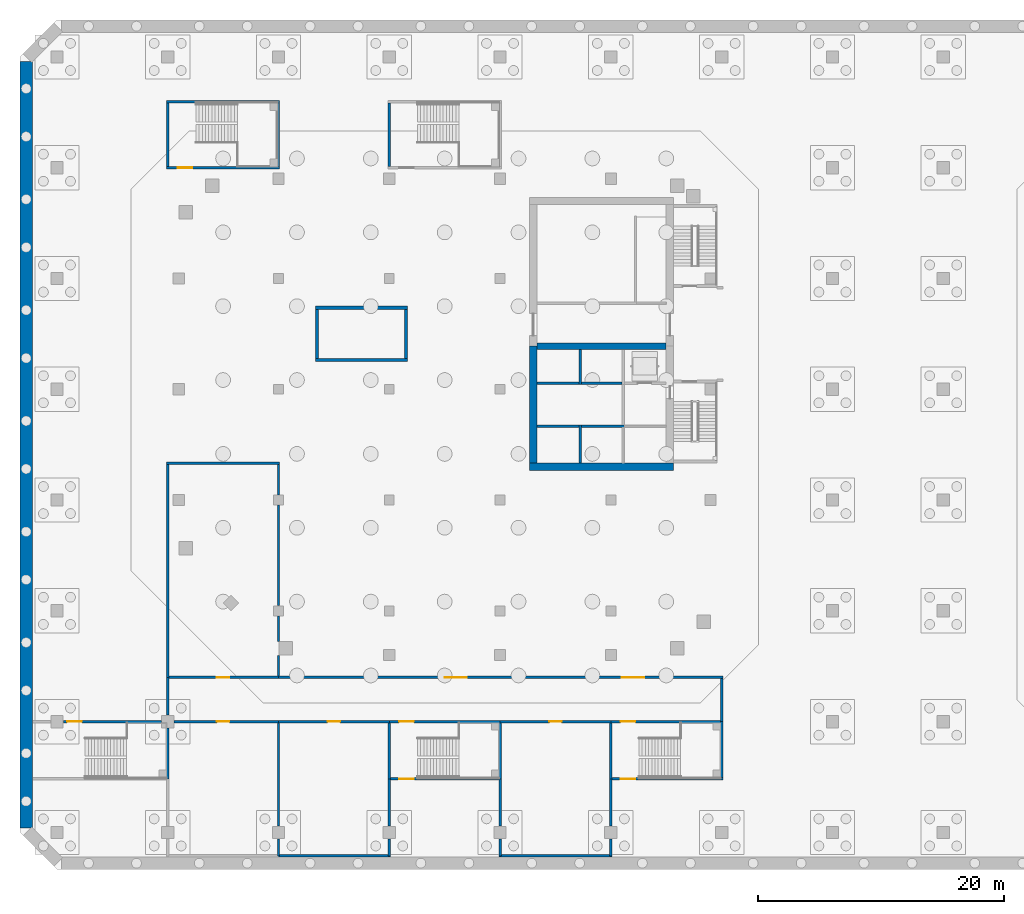
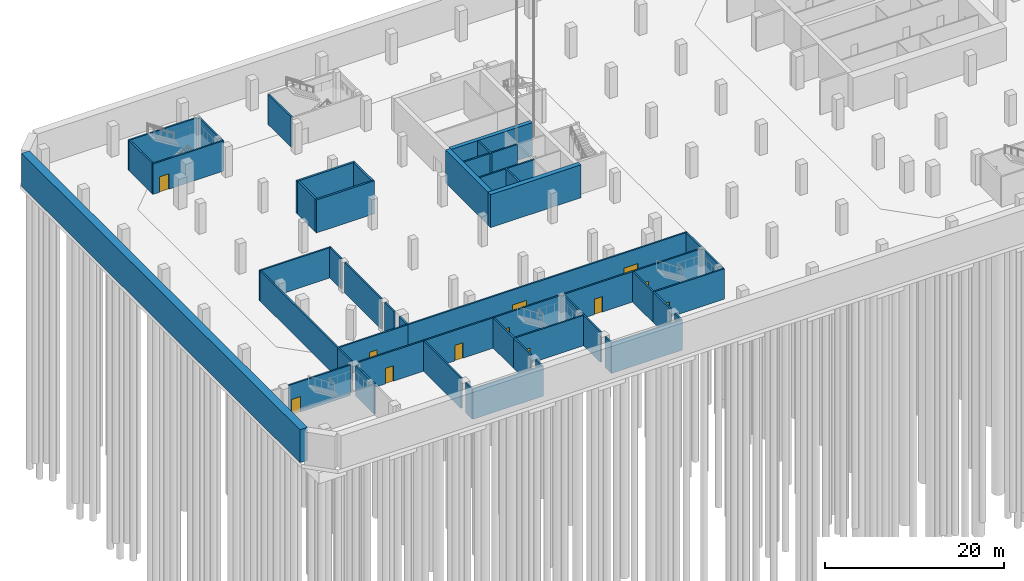
# One storey, part 17 of 30: 52 walls, 12 doors, 12 openings.
"""IFC4 building model written with IfcOpenShell, lengths in metres."""

from ifc_helpers import new_model, si_unit, direction, frame, frame_2d, origin, place, context, subcontext, project, spatial, rectangle, extrude, material, layer, layer_set, type_object, element, fill, save


model = new_model("IFC4")

# Units and contexts
model_context = context("Model", 3, precision=1e-05, world=origin(), true_north=direction((0.0, 1.0)))
body_context = subcontext(model_context, "Body", "Model", "MODEL_VIEW")
ifc_project = project(units=[si_unit("LENGTHUNIT", "METRE"), si_unit("AREAUNIT", "SQUARE_METRE"), si_unit("VOLUMEUNIT", "CUBIC_METRE"), si_unit("PLANEANGLEUNIT", "RADIAN"), si_unit("MASSUNIT", "GRAM", prefix="KILO")], contexts=[model_context])

# Site, building, storey
site_placement = place(None, origin())
site = spatial("IfcSite", under=ifc_project, at=site_placement, CompositionType="ELEMENT")
building_placement = place(site_placement, origin())
building = spatial("IfcBuilding", under=site, at=building_placement, Name="Cinnabar Reach Civic Tower", CompositionType="ELEMENT")
storey_placement = place(building_placement, frame((0.0, 0.0, -14.0)))
storey = spatial("IfcBuildingStorey", under=building, at=storey_placement, Name="B3", CompositionType="ELEMENT", Elevation=-14.0)

# Walls
ifc_material_1 = material(Name="Concrete C70", Category="concrete")
ifc_layer_1 = layer(ifc_material_1, 1.0)
ifc_layer_set_1 = layer_set([ifc_layer_1], Name="Basement wall 1000 EI 180")
wall_type_1 = type_object("IfcWallType", Name="Basement wall 1000 EI 180", PredefinedType="SOLIDWALL", material=ifc_layer_set_1)
wall_1_placement = place(storey_placement, frame((-83.5, -8.6408, 0.0), z_axis=(0.0, 0.0, 1.0), x_axis=(0.0, 1.0, 0.0)))
element("IfcWall", 1, at=wall_1_placement, inside=storey, type_object=wall_type_1, Name="Basement wall B3 2", PredefinedType="SOLIDWALL", context=body_context, shape_type="SweptSolid", body=[
    extrude(rectangle(XDim=62.2816, YDim=1.0, at=frame_2d((31.1408, 0.0))), origin(), (0.0, 0.0, 1.0), 4.5),
])
ifc_material_2 = material(Name="Concrete C60", Category="concrete")
ifc_layer_2 = layer(ifc_material_2, 0.5)
ifc_layer_set_2 = layer_set([ifc_layer_2], Name="Core wall 500 EI 180")
wall_type_2 = type_object("IfcWallType", Name="Core wall 500 EI 180", PredefinedType="SOLIDWALL", material=ifc_layer_set_2)
wall_2_placement = place(storey_placement, frame((-42.0, 30.5, 0.0), z_axis=(0.0, 0.0, 1.0), x_axis=(1.0, 0.0, 0.0)))
element("IfcWall", 2, at=wall_2_placement, inside=storey, type_object=wall_type_2, Name="Core spine wall T2 B3", PredefinedType="SOLIDWALL", context=body_context, shape_type="SweptSolid", body=[
    extrude(rectangle(XDim=10.5, YDim=0.5, at=frame_2d((5.25, 0.0))), origin(), (0.0, 0.0, 1.0), 4.5),
])
ifc_layer_3 = layer(ifc_material_1, 0.6)
ifc_layer_set_3 = layer_set([ifc_layer_3], Name="Core wall 600 EI 180")
wall_type_3 = type_object("IfcWallType", Name="Core wall 600 EI 180", PredefinedType="SOLIDWALL", material=ifc_layer_set_3)
wall_3_placement = place(storey_placement, frame((-42.6, 20.7, 0.0), z_axis=(0.0, 0.0, 1.0), x_axis=(1.0, 0.0, 0.0)))
element("IfcWall", 3, at=wall_3_placement, inside=storey, type_object=wall_type_3, Name="Core wall T2 B3 S", PredefinedType="SOLIDWALL", context=body_context, shape_type="SweptSolid", body=[
    extrude(rectangle(XDim=11.7, YDim=0.6, at=frame_2d((5.85, 0.0))), origin(), (0.0, 0.0, 1.0), 4.5),
])
wall_4_placement = place(storey_placement, frame((-42.3, 30.5, 0.0), z_axis=(0.0, 0.0, 1.0), x_axis=(0.0, -1.0, 0.0)))
element("IfcWall", 4, at=wall_4_placement, inside=storey, type_object=wall_type_3, Name="Core wall T2 B3 W2", PredefinedType="SOLIDWALL", context=body_context, shape_type="SweptSolid", body=[
    extrude(rectangle(XDim=9.5, YDim=0.6, at=frame_2d((4.75, 0.0))), origin(), (0.0, 0.0, 1.0), 4.5),
])

# Wall, opening, door
ifc_material_3 = material(Name="Concrete blockwork", Category="masonry")
ifc_layer_4 = layer(ifc_material_3, 0.2)
ifc_layer_set_4 = layer_set([ifc_layer_4], Name="Podium masonry corridor wall 200 EI 120")
wall_type_4 = type_object("IfcWallType", Name="Podium masonry corridor wall 200 EI 120", PredefinedType="PARTITIONING", material=ifc_layer_set_4)
wall_5_placement = place(storey_placement, frame((-71.48, 0.0, 0.0), z_axis=(0.0, 0.0, 1.0), x_axis=(1.0, 0.0, 0.0)))
wall_5 = element("IfcWall", 5, at=wall_5_placement, inside=storey, type_object=wall_type_4, Name="Wall B3 37", PredefinedType="PARTITIONING", context=body_context, shape_type="SweptSolid", body=[
    extrude(rectangle(XDim=8.48, YDim=0.2, at=frame_2d((4.24, 0.0))), origin(), (0.0, 0.0, 1.0), 4.15),
])
opening_1_placement = place(wall_5_placement, frame((3.48, 0.0, 0.0)))
opening_1 = element("IfcOpeningElement", 6, at=opening_1_placement, cuts=wall_5, Name="Opening D1334", PredefinedType="OPENING", context=body_context, shape_type="SweptSolid", body=[
    extrude(rectangle(XDim=1.0, YDim=2.1, at=frame_2d((0.5, 1.05))), frame((0.0, 0.11, 0.0), z_axis=(0.0, -1.0, 0.0), x_axis=(1.0, 0.0, 0.0)), (0.0, 0.0, 1.0), 0.22),
])
ifc_material_4 = material(Name="Painted steel door leaf", Category="steel")
door_type_1 = type_object("IfcDoorType", Name="Podium single door 1000x2100", OperationType="SINGLE_SWING_LEFT", PredefinedType="DOOR", material=ifc_material_4)
door_1_placement = place(opening_1_placement, frame((1.0, 0.0, 0.0), z_axis=(0.0, 0.0, 1.0), x_axis=(-1.0, 0.0, 0.0)))
door_1 = element("IfcDoor", 7, at=door_1_placement, inside=storey, type_object=door_type_1, Name="Door D1334", OperationType="SINGLE_SWING_LEFT", OverallHeight=2.1, OverallWidth=1.0, PredefinedType="DOOR", context=body_context, shape_type="SweptSolid", body=[
    extrude(rectangle(XDim=1.0, YDim=2.1, at=frame_2d((0.5, 1.05))), frame((0.0, 0.025, 0.0), z_axis=(0.0, -1.0, 0.0), x_axis=(1.0, 0.0, 0.0)), (0.0, 0.0, 1.0), 0.05),
])
fill(opening_1, door_1)

wall_6_placement = place(storey_placement, frame((-63.0, 0.0, 0.0), z_axis=(0.0, 0.0, 1.0), x_axis=(1.0, 0.0, 0.0)))
wall_6 = element("IfcWall", 8, at=wall_6_placement, inside=storey, type_object=wall_type_4, Name="Wall B3 38", PredefinedType="PARTITIONING", context=body_context, shape_type="SweptSolid", body=[
    extrude(rectangle(XDim=9.0, YDim=0.2, at=frame_2d((4.5, 0.0))), origin(), (0.0, 0.0, 1.0), 4.15),
])
opening_2_placement = place(wall_6_placement, frame((4.0, 0.0, 0.0)))
opening_2 = element("IfcOpeningElement", 9, at=opening_2_placement, cuts=wall_6, Name="Opening D1335", PredefinedType="OPENING", context=body_context, shape_type="SweptSolid", body=[
    extrude(rectangle(XDim=1.0, YDim=2.1, at=frame_2d((0.5, 1.05))), frame((0.0, 0.11, 0.0), z_axis=(0.0, -1.0, 0.0), x_axis=(1.0, 0.0, 0.0)), (0.0, 0.0, 1.0), 0.22),
])
door_2_placement = place(opening_2_placement, frame((1.0, 0.0, 0.0), z_axis=(0.0, 0.0, 1.0), x_axis=(-1.0, 0.0, 0.0)))
door_2 = element("IfcDoor", 10, at=door_2_placement, inside=storey, type_object=door_type_1, Name="Door D1335", OperationType="SINGLE_SWING_LEFT", OverallHeight=2.1, OverallWidth=1.0, PredefinedType="DOOR", context=body_context, shape_type="SweptSolid", body=[
    extrude(rectangle(XDim=1.0, YDim=2.1, at=frame_2d((0.5, 1.05))), frame((0.0, 0.025, 0.0), z_axis=(0.0, -1.0, 0.0), x_axis=(1.0, 0.0, 0.0)), (0.0, 0.0, 1.0), 0.05),
])
fill(opening_2, door_2)

wall_7_placement = place(storey_placement, frame((-45.0, 0.0, 0.0), z_axis=(0.0, 0.0, 1.0), x_axis=(1.0, 0.0, 0.0)))
wall_7 = element("IfcWall", 11, at=wall_7_placement, inside=storey, type_object=wall_type_4, Name="Wall B3 39", PredefinedType="PARTITIONING", context=body_context, shape_type="SweptSolid", body=[
    extrude(rectangle(XDim=9.0, YDim=0.2, at=frame_2d((4.5, 0.0))), origin(), (0.0, 0.0, 1.0), 4.15),
])
opening_3_placement = place(wall_7_placement, frame((4.0, 0.0, 0.0)))
opening_3 = element("IfcOpeningElement", 12, at=opening_3_placement, cuts=wall_7, Name="Opening D1336", PredefinedType="OPENING", context=body_context, shape_type="SweptSolid", body=[
    extrude(rectangle(XDim=1.0, YDim=2.1, at=frame_2d((0.5, 1.05))), frame((0.0, 0.11, 0.0), z_axis=(0.0, -1.0, 0.0), x_axis=(1.0, 0.0, 0.0)), (0.0, 0.0, 1.0), 0.22),
])
door_3_placement = place(opening_3_placement, frame((1.0, 0.0, 0.0), z_axis=(0.0, 0.0, 1.0), x_axis=(-1.0, 0.0, 0.0)))
door_3 = element("IfcDoor", 13, at=door_3_placement, inside=storey, type_object=door_type_1, Name="Door D1336", OperationType="SINGLE_SWING_RIGHT", OverallHeight=2.1, OverallWidth=1.0, PredefinedType="DOOR", context=body_context, shape_type="SweptSolid", body=[
    extrude(rectangle(XDim=1.0, YDim=2.1, at=frame_2d((0.5, 1.05))), frame((0.0, 0.025, 0.0), z_axis=(0.0, -1.0, 0.0), x_axis=(1.0, 0.0, 0.0)), (0.0, 0.0, 1.0), 0.05),
])
fill(opening_3, door_3)

wall_8_placement = place(storey_placement, frame((-71.9, 3.6, 0.0), z_axis=(0.0, 0.0, 1.0), x_axis=(1.0, 0.0, 0.0)))
wall_8 = element("IfcWall", 14, at=wall_8_placement, inside=storey, type_object=wall_type_4, Name="Wall B3 40", PredefinedType="PARTITIONING", context=body_context, shape_type="SweptSolid", body=[
    extrude(rectangle(XDim=8.9, YDim=0.2, at=frame_2d((4.45, 0.0))), origin(), (0.0, 0.0, 1.0), 4.15),
])
opening_4_placement = place(wall_8_placement, frame((3.9, 0.0, 0.0)))
opening_4 = element("IfcOpeningElement", 15, at=opening_4_placement, cuts=wall_8, Name="Opening D1337", PredefinedType="OPENING", context=body_context, shape_type="SweptSolid", body=[
    extrude(rectangle(XDim=1.0, YDim=2.1, at=frame_2d((0.5, 1.05))), frame((0.0, 0.11, 0.0), z_axis=(0.0, -1.0, 0.0), x_axis=(1.0, 0.0, 0.0)), (0.0, 0.0, 1.0), 0.22),
])
door_4_placement = place(opening_4_placement, origin())
door_4 = element("IfcDoor", 16, at=door_4_placement, inside=storey, type_object=door_type_1, Name="Door D1337", OperationType="SINGLE_SWING_RIGHT", OverallHeight=2.1, OverallWidth=1.0, PredefinedType="DOOR", context=body_context, shape_type="SweptSolid", body=[
    extrude(rectangle(XDim=1.0, YDim=2.1, at=frame_2d((0.5, 1.05))), frame((0.0, 0.025, 0.0), z_axis=(0.0, -1.0, 0.0), x_axis=(1.0, 0.0, 0.0)), (0.0, 0.0, 1.0), 0.05),
])
fill(opening_4, door_4)

# Wall, openings, doors
wall_9_placement = place(storey_placement, frame((-63.0, 3.6, 0.0), z_axis=(0.0, 0.0, 1.0), x_axis=(1.0, 0.0, 0.0)))
wall_9 = element("IfcWall", 17, at=wall_9_placement, inside=storey, type_object=wall_type_4, Name="Wall B3 41", PredefinedType="PARTITIONING", context=body_context, shape_type="SweptSolid", body=[
    extrude(rectangle(XDim=36.1, YDim=0.2, at=frame_2d((18.05, 0.0))), origin(), (0.0, 0.0, 1.0), 4.15),
])
opening_5_placement = place(wall_9_placement, frame((13.5, 0.0, 0.0)))
opening_5 = element("IfcOpeningElement", 18, at=opening_5_placement, cuts=wall_9, Name="Opening D1330", PredefinedType="OPENING", context=body_context, shape_type="SweptSolid", body=[
    extrude(rectangle(XDim=1.8, YDim=2.1, at=frame_2d((0.9, 1.05))), frame((0.0, 0.11, 0.0), z_axis=(0.0, -1.0, 0.0), x_axis=(1.0, 0.0, 0.0)), (0.0, 0.0, 1.0), 0.22),
])
opening_6_placement = place(wall_9_placement, frame((27.9, 0.0, 0.0)))
opening_6 = element("IfcOpeningElement", 19, at=opening_6_placement, cuts=wall_9, Name="Opening D1331", PredefinedType="OPENING", context=body_context, shape_type="SweptSolid", body=[
    extrude(rectangle(XDim=1.8, YDim=2.1, at=frame_2d((0.9, 1.05))), frame((0.0, 0.11, 0.0), z_axis=(0.0, -1.0, 0.0), x_axis=(1.0, 0.0, 0.0)), (0.0, 0.0, 1.0), 0.22),
])
door_type_2 = type_object("IfcDoorType", Name="Podium double door 1800x2100", OperationType="DOUBLE_DOOR_SINGLE_SWING", PredefinedType="DOOR", material=ifc_material_4)
door_5_placement = place(opening_5_placement, origin())
door_5 = element("IfcDoor", 20, at=door_5_placement, inside=storey, type_object=door_type_2, Name="Door D1330", OperationType="DOUBLE_DOOR_SINGLE_SWING", OverallHeight=2.1, OverallWidth=1.8, PredefinedType="DOOR", context=body_context, shape_type="SweptSolid", body=[
    extrude(rectangle(XDim=1.8, YDim=2.1, at=frame_2d((0.9, 1.05))), frame((0.0, 0.025, 0.0), z_axis=(0.0, -1.0, 0.0), x_axis=(1.0, 0.0, 0.0)), (0.0, 0.0, 1.0), 0.05),
])
fill(opening_5, door_5)
door_6_placement = place(opening_6_placement, origin())
door_6 = element("IfcDoor", 21, at=door_6_placement, inside=storey, type_object=door_type_2, Name="Door D1331", OperationType="DOUBLE_DOOR_SINGLE_SWING", OverallHeight=2.1, OverallWidth=1.8, PredefinedType="DOOR", context=body_context, shape_type="SweptSolid", body=[
    extrude(rectangle(XDim=1.8, YDim=2.1, at=frame_2d((0.9, 1.05))), frame((0.0, 0.025, 0.0), z_axis=(0.0, -1.0, 0.0), x_axis=(1.0, 0.0, 0.0)), (0.0, 0.0, 1.0), 0.05),
])
fill(opening_6, door_6)

# Walls
wall_10_placement = place(storey_placement, frame((-27.0, 0.0, 0.0), z_axis=(0.0, 0.0, 1.0), x_axis=(0.0, 1.0, 0.0)))
element("IfcWall", 22, at=wall_10_placement, inside=storey, type_object=wall_type_4, Name="Wall B3 42", PredefinedType="PARTITIONING", context=body_context, shape_type="SweptSolid", body=[
    extrude(rectangle(XDim=3.5, YDim=0.2, at=frame_2d((1.75, 0.0))), origin(), (0.0, 0.0, 1.0), 4.15),
])
wall_11_placement = place(storey_placement, frame((-72.0, 0.52, 0.0), z_axis=(0.0, 0.0, 1.0), x_axis=(0.0, 1.0, 0.0)))
element("IfcWall", 23, at=wall_11_placement, inside=storey, type_object=wall_type_4, Name="Wall B3 43", PredefinedType="PARTITIONING", context=body_context, shape_type="SweptSolid", body=[
    extrude(rectangle(XDim=3.08, YDim=0.2, at=frame_2d((1.54, 0.0))), origin(), (0.0, 0.0, 1.0), 4.15),
])
wall_12_placement = place(storey_placement, frame((-63.0, -10.9, 0.0), z_axis=(0.0, 0.0, 1.0), x_axis=(0.0, 1.0, 0.0)))
element("IfcWall", 24, at=wall_12_placement, inside=storey, type_object=wall_type_4, Name="Wall B3 44", PredefinedType="PARTITIONING", context=body_context, shape_type="SweptSolid", body=[
    extrude(rectangle(XDim=1.38, YDim=0.2, at=frame_2d((0.69, 0.0))), origin(), (0.0, 0.0, 1.0), 4.15),
])
wall_13_placement = place(storey_placement, frame((-63.0, -8.48, 0.0), z_axis=(0.0, 0.0, 1.0), x_axis=(0.0, 1.0, 0.0)))
element("IfcWall", 25, at=wall_13_placement, inside=storey, type_object=wall_type_4, Name="Wall B3 45", PredefinedType="PARTITIONING", context=body_context, shape_type="SweptSolid", body=[
    extrude(rectangle(XDim=8.38, YDim=0.2, at=frame_2d((4.19, 0.0))), origin(), (0.0, 0.0, 1.0), 4.15),
])
wall_14_placement = place(storey_placement, frame((-54.0, -10.9, 0.0), z_axis=(0.0, 0.0, 1.0), x_axis=(0.0, 1.0, 0.0)))
element("IfcWall", 26, at=wall_14_placement, inside=storey, type_object=wall_type_4, Name="Wall B3 49", PredefinedType="PARTITIONING", context=body_context, shape_type="SweptSolid", body=[
    extrude(rectangle(XDim=1.38, YDim=0.2, at=frame_2d((0.69, 0.0))), origin(), (0.0, 0.0, 1.0), 4.15),
])
wall_15_placement = place(storey_placement, frame((-54.0, -8.48, 0.0), z_axis=(0.0, 0.0, 1.0), x_axis=(0.0, 1.0, 0.0)))
element("IfcWall", 27, at=wall_15_placement, inside=storey, type_object=wall_type_4, Name="Wall B3 50", PredefinedType="PARTITIONING", context=body_context, shape_type="SweptSolid", body=[
    extrude(rectangle(XDim=3.83, YDim=0.2, at=frame_2d((1.915, 0.0))), origin(), (0.0, 0.0, 1.0), 4.15),
])
wall_16_placement = place(storey_placement, frame((-63.0, -10.9, 0.0), z_axis=(0.0, 0.0, 1.0), x_axis=(1.0, 0.0, 0.0)))
element("IfcWall", 28, at=wall_16_placement, inside=storey, type_object=wall_type_4, Name="Wall B3 51", PredefinedType="PARTITIONING", context=body_context, shape_type="SweptSolid", body=[
    extrude(rectangle(XDim=9.1, YDim=0.2, at=frame_2d((4.55, 0.0))), origin(), (0.0, 0.0, 1.0), 4.15),
])
wall_17_placement = place(storey_placement, frame((-36.0, -10.9, 0.0), z_axis=(0.0, 0.0, 1.0), x_axis=(0.0, 1.0, 0.0)))
element("IfcWall", 29, at=wall_17_placement, inside=storey, type_object=wall_type_4, Name="Wall B3 52", PredefinedType="PARTITIONING", context=body_context, shape_type="SweptSolid", body=[
    extrude(rectangle(XDim=1.38, YDim=0.2, at=frame_2d((0.69, 0.0))), origin(), (0.0, 0.0, 1.0), 4.15),
])
wall_18_placement = place(storey_placement, frame((-36.0, -8.48, 0.0), z_axis=(0.0, 0.0, 1.0), x_axis=(0.0, 1.0, 0.0)))
element("IfcWall", 30, at=wall_18_placement, inside=storey, type_object=wall_type_4, Name="Wall B3 53", PredefinedType="PARTITIONING", context=body_context, shape_type="SweptSolid", body=[
    extrude(rectangle(XDim=3.83, YDim=0.2, at=frame_2d((1.915, 0.0))), origin(), (0.0, 0.0, 1.0), 4.15),
])
wall_19_placement = place(storey_placement, frame((-45.1, -10.9, 0.0), z_axis=(0.0, 0.0, 1.0), x_axis=(1.0, 0.0, 0.0)))
element("IfcWall", 31, at=wall_19_placement, inside=storey, type_object=wall_type_4, Name="Wall B3 54", PredefinedType="PARTITIONING", context=body_context, shape_type="SweptSolid", body=[
    extrude(rectangle(XDim=9.2, YDim=0.2, at=frame_2d((4.6, 0.0))), origin(), (0.0, 0.0, 1.0), 4.15),
])
wall_20_placement = place(storey_placement, frame((-45.0, -10.9, 0.0), z_axis=(0.0, 0.0, 1.0), x_axis=(0.0, 1.0, 0.0)))
element("IfcWall", 32, at=wall_20_placement, inside=storey, type_object=wall_type_4, Name="Wall B3 55", PredefinedType="PARTITIONING", context=body_context, shape_type="SweptSolid", body=[
    extrude(rectangle(XDim=1.38, YDim=0.2, at=frame_2d((0.69, 0.0))), origin(), (0.0, 0.0, 1.0), 4.15),
])
wall_21_placement = place(storey_placement, frame((-45.0, -8.48, 0.0), z_axis=(0.0, 0.0, 1.0), x_axis=(0.0, 1.0, 0.0)))
element("IfcWall", 33, at=wall_21_placement, inside=storey, type_object=wall_type_4, Name="Wall B3 56", PredefinedType="PARTITIONING", context=body_context, shape_type="SweptSolid", body=[
    extrude(rectangle(XDim=3.83, YDim=0.2, at=frame_2d((1.915, 0.0))), origin(), (0.0, 0.0, 1.0), 4.15),
])
wall_22_placement = place(storey_placement, frame((-72.1, 21.0, 0.0), z_axis=(0.0, 0.0, 1.0), x_axis=(1.0, 0.0, 0.0)))
element("IfcWall", 34, at=wall_22_placement, inside=storey, type_object=wall_type_4, Name="Wall B3 57", PredefinedType="PARTITIONING", context=body_context, shape_type="SweptSolid", body=[
    extrude(rectangle(XDim=9.2, YDim=0.2, at=frame_2d((4.6, 0.0))), origin(), (0.0, 0.0, 1.0), 4.15),
])
wall_23_placement = place(storey_placement, frame((-63.0, 3.7, 0.0), z_axis=(0.0, 0.0, 1.0), x_axis=(0.0, 1.0, 0.0)))
element("IfcWall", 35, at=wall_23_placement, inside=storey, type_object=wall_type_4, Name="Wall B3 58", PredefinedType="PARTITIONING", context=body_context, shape_type="SweptSolid", body=[
    extrude(rectangle(XDim=1.6831, YDim=0.2, at=frame_2d((0.8416, 0.0))), origin(), (0.0, 0.0, 1.0), 4.15),
])
wall_24_placement = place(storey_placement, frame((-63.0, 6.5231, 0.0), z_axis=(0.0, 0.0, 1.0), x_axis=(0.0, 1.0, 0.0)))
element("IfcWall", 36, at=wall_24_placement, inside=storey, type_object=wall_type_4, Name="Wall B3 59", PredefinedType="PARTITIONING", context=body_context, shape_type="SweptSolid", body=[
    extrude(rectangle(XDim=2.0569, YDim=0.2, at=frame_2d((1.0285, 0.0))), origin(), (0.0, 0.0, 1.0), 4.15),
])
wall_25_placement = place(storey_placement, frame((-63.0, 9.42, 0.0), z_axis=(0.0, 0.0, 1.0), x_axis=(0.0, 1.0, 0.0)))
element("IfcWall", 37, at=wall_25_placement, inside=storey, type_object=wall_type_4, Name="Wall B3 60", PredefinedType="PARTITIONING", context=body_context, shape_type="SweptSolid", body=[
    extrude(rectangle(XDim=8.16, YDim=0.2, at=frame_2d((4.08, 0.0))), origin(), (0.0, 0.0, 1.0), 4.15),
])
wall_26_placement = place(storey_placement, frame((-63.0, 18.42, 0.0), z_axis=(0.0, 0.0, 1.0), x_axis=(0.0, 1.0, 0.0)))
element("IfcWall", 38, at=wall_26_placement, inside=storey, type_object=wall_type_4, Name="Wall B3 61", PredefinedType="PARTITIONING", context=body_context, shape_type="SweptSolid", body=[
    extrude(rectangle(XDim=2.48, YDim=0.2, at=frame_2d((1.24, 0.0))), origin(), (0.0, 0.0, 1.0), 4.15),
])
wall_27_placement = place(storey_placement, frame((-72.0, 3.6, 0.0), z_axis=(0.0, 0.0, 1.0), x_axis=(0.0, 1.0, 0.0)))
element("IfcWall", 39, at=wall_27_placement, inside=storey, type_object=wall_type_4, Name="Wall B3 62", PredefinedType="PARTITIONING", context=body_context, shape_type="SweptSolid", body=[
    extrude(rectangle(XDim=17.3, YDim=0.2, at=frame_2d((8.65, 0.0))), origin(), (0.0, 0.0, 1.0), 4.15),
])
ifc_material_5 = material(Name="Concrete C40", Category="concrete")
ifc_layer_5 = layer(ifc_material_5, 0.2)
ifc_layer_set_5 = layer_set([ifc_layer_5], Name="Podium stair shaft wall 200 EI 120")
wall_type_5 = type_object("IfcWallType", Name="Podium stair shaft wall 200 EI 120", PredefinedType="SOLIDWALL", material=ifc_layer_set_5)
wall_28_placement = place(storey_placement, frame((-72.0, -4.65, 0.0), z_axis=(0.0, 0.0, 1.0), x_axis=(0.0, 1.0, 0.0)))
element("IfcWall", 40, at=wall_28_placement, inside=storey, type_object=wall_type_5, Name="Wall B3 1", PredefinedType="SOLIDWALL", context=body_context, shape_type="SweptSolid", body=[
    extrude(rectangle(XDim=4.13, YDim=0.2, at=frame_2d((2.065, 0.0))), origin(), (0.0, 0.0, 1.0), 4.15),
])

# Wall, opening, door
wall_29_placement = place(storey_placement, frame((-80.48, 0.0, 0.0), z_axis=(0.0, 0.0, 1.0), x_axis=(1.0, 0.0, 0.0)))
wall_29 = element("IfcWall", 41, at=wall_29_placement, inside=storey, type_object=wall_type_5, Name="Wall B3 4", PredefinedType="SOLIDWALL", context=body_context, shape_type="SweptSolid", body=[
    extrude(rectangle(XDim=7.96, YDim=0.2, at=frame_2d((3.98, 0.0))), origin(), (0.0, 0.0, 1.0), 4.15),
])
opening_7_placement = place(wall_29_placement, frame((0.3, 0.0, 0.0)))
opening_7 = element("IfcOpeningElement", 42, at=opening_7_placement, cuts=wall_29, Name="Opening D1321", PredefinedType="OPENING", context=body_context, shape_type="SweptSolid", body=[
    extrude(rectangle(XDim=1.2, YDim=2.1, at=frame_2d((0.6, 1.05))), frame((0.0, 0.11, 0.0), z_axis=(0.0, -1.0, 0.0), x_axis=(1.0, 0.0, 0.0)), (0.0, 0.0, 1.0), 0.22),
])
door_type_3 = type_object("IfcDoorType", Name="Podium single door 1200x2100", OperationType="SINGLE_SWING_LEFT", PredefinedType="DOOR", material=ifc_material_4)
door_7_placement = place(opening_7_placement, frame((1.2, 0.0, 0.0), z_axis=(0.0, 0.0, 1.0), x_axis=(-1.0, 0.0, 0.0)))
door_7 = element("IfcDoor", 43, at=door_7_placement, inside=storey, type_object=door_type_3, Name="Door D1321", OperationType="SINGLE_SWING_RIGHT", OverallHeight=2.1, OverallWidth=1.2, PredefinedType="DOOR", context=body_context, shape_type="SweptSolid", body=[
    extrude(rectangle(XDim=1.2, YDim=2.1, at=frame_2d((0.6, 1.05))), frame((0.0, 0.025, 0.0), z_axis=(0.0, -1.0, 0.0), x_axis=(1.0, 0.0, 0.0)), (0.0, 0.0, 1.0), 0.05),
])
fill(opening_7, door_7)

# Walls
wall_30_placement = place(storey_placement, frame((-72.1, 50.35, 0.0), z_axis=(0.0, 0.0, 1.0), x_axis=(1.0, 0.0, 0.0)))
element("IfcWall", 44, at=wall_30_placement, inside=storey, type_object=wall_type_5, Name="Wall B3 5", PredefinedType="SOLIDWALL", context=body_context, shape_type="SweptSolid", body=[
    extrude(rectangle(XDim=9.2, YDim=0.2, at=frame_2d((4.6, 0.0))), origin(), (0.0, 0.0, 1.0), 4.15),
])
wall_31_placement = place(storey_placement, frame((-63.0, 45.1, 0.0), z_axis=(0.0, 0.0, 1.0), x_axis=(0.0, 1.0, 0.0)))
element("IfcWall", 45, at=wall_31_placement, inside=storey, type_object=wall_type_5, Name="Wall B3 6", PredefinedType="SOLIDWALL", context=body_context, shape_type="SweptSolid", body=[
    extrude(rectangle(XDim=5.15, YDim=0.2, at=frame_2d((2.575, 0.0))), origin(), (0.0, 0.0, 1.0), 4.15),
])

# Wall, opening, door
wall_32_placement = place(storey_placement, frame((-72.1, 45.0, 0.0), z_axis=(0.0, 0.0, 1.0), x_axis=(1.0, 0.0, 0.0)))
wall_32 = element("IfcWall", 46, at=wall_32_placement, inside=storey, type_object=wall_type_5, Name="Wall B3 7", PredefinedType="SOLIDWALL", context=body_context, shape_type="SweptSolid", body=[
    extrude(rectangle(XDim=9.2, YDim=0.2, at=frame_2d((4.6, 0.0))), origin(), (0.0, 0.0, 1.0), 4.15),
])
opening_8_placement = place(wall_32_placement, frame((0.9, 0.0, 0.0)))
opening_8 = element("IfcOpeningElement", 47, at=opening_8_placement, cuts=wall_32, Name="Opening D1322", PredefinedType="OPENING", context=body_context, shape_type="SweptSolid", body=[
    extrude(rectangle(XDim=1.2, YDim=2.1, at=frame_2d((0.6, 1.05))), frame((0.0, 0.11, 0.0), z_axis=(0.0, -1.0, 0.0), x_axis=(1.0, 0.0, 0.0)), (0.0, 0.0, 1.0), 0.22),
])
door_8_placement = place(opening_8_placement, origin())
door_8 = element("IfcDoor", 48, at=door_8_placement, inside=storey, type_object=door_type_3, Name="Door D1322", OperationType="SINGLE_SWING_LEFT", OverallHeight=2.1, OverallWidth=1.2, PredefinedType="DOOR", context=body_context, shape_type="SweptSolid", body=[
    extrude(rectangle(XDim=1.2, YDim=2.1, at=frame_2d((0.6, 1.05))), frame((0.0, 0.025, 0.0), z_axis=(0.0, -1.0, 0.0), x_axis=(1.0, 0.0, 0.0)), (0.0, 0.0, 1.0), 0.05),
])
fill(opening_8, door_8)

# Walls
for number, where, z_axis, x_axis, name in (
    (49, (-72.0, 45.1, 0.0), (0.0, 0.0, 1.0), (0.0, 1.0, 0.0), "Wall B3 8"),
    (50, (-54.0, 45.1, 0.0), (0.0, 0.0, 1.0), (0.0, 1.0, 0.0), "Wall B3 28"),
):
    element("IfcWall", number, at=place(storey_placement, frame(where, z_axis=z_axis, x_axis=x_axis)), inside=storey, type_object=wall_type_5, Name=name, PredefinedType="SOLIDWALL", context=body_context, shape_type="SweptSolid", body=[
        extrude(rectangle(XDim=5.15, YDim=0.2, at=frame_2d((2.575, 0.0))), origin(), (0.0, 0.0, 1.0), 4.15),
    ])

# Wall, opening, door
wall_33_placement = place(storey_placement, frame((-54.0, 0.0, 0.0), z_axis=(0.0, 0.0, 1.0), x_axis=(1.0, 0.0, 0.0)))
wall_33 = element("IfcWall", 51, at=wall_33_placement, inside=storey, type_object=wall_type_5, Name="Wall B3 29", PredefinedType="SOLIDWALL", context=body_context, shape_type="SweptSolid", body=[
    extrude(rectangle(XDim=9.0, YDim=0.2, at=frame_2d((4.5, 0.0))), origin(), (0.0, 0.0, 1.0), 4.15),
])
opening_9_placement = place(wall_33_placement, frame((0.8, 0.0, 0.0)))
opening_9 = element("IfcOpeningElement", 52, at=opening_9_placement, cuts=wall_33, Name="Opening D1332", PredefinedType="OPENING", context=body_context, shape_type="SweptSolid", body=[
    extrude(rectangle(XDim=1.2, YDim=2.1, at=frame_2d((0.6, 1.05))), frame((0.0, 0.11, 0.0), z_axis=(0.0, -1.0, 0.0), x_axis=(1.0, 0.0, 0.0)), (0.0, 0.0, 1.0), 0.22),
])
door_9_placement = place(opening_9_placement, frame((1.2, 0.0, 0.0), z_axis=(0.0, 0.0, 1.0), x_axis=(-1.0, 0.0, 0.0)))
door_9 = element("IfcDoor", 53, at=door_9_placement, inside=storey, type_object=door_type_3, Name="Door D1332", OperationType="SINGLE_SWING_LEFT", OverallHeight=2.1, OverallWidth=1.2, PredefinedType="DOOR", context=body_context, shape_type="SweptSolid", body=[
    extrude(rectangle(XDim=1.2, YDim=2.1, at=frame_2d((0.6, 1.05))), frame((0.0, 0.025, 0.0), z_axis=(0.0, -1.0, 0.0), x_axis=(1.0, 0.0, 0.0)), (0.0, 0.0, 1.0), 0.05),
])
fill(opening_9, door_9)

# Walls
for number, where, z_axis, x_axis, name in (
    (54, (-54.0, -4.65, 0.0), (0.0, 0.0, 1.0), (0.0, 1.0, 0.0), "Wall B3 30"),
    (55, (-45.0, -4.65, 0.0), (0.0, 0.0, 1.0), (0.0, 1.0, 0.0), "Wall B3 31"),
):
    element("IfcWall", number, at=place(storey_placement, frame(where, z_axis=z_axis, x_axis=x_axis)), inside=storey, type_object=wall_type_5, Name=name, PredefinedType="SOLIDWALL", context=body_context, shape_type="SweptSolid", body=[
        extrude(rectangle(XDim=4.55, YDim=0.2, at=frame_2d((2.275, 0.0))), origin(), (0.0, 0.0, 1.0), 4.15),
    ])

# Wall, opening, door
wall_34_placement = place(storey_placement, frame((-53.9, -4.65, 0.0), z_axis=(0.0, 0.0, 1.0), x_axis=(1.0, 0.0, 0.0)))
wall_34 = element("IfcWall", 56, at=wall_34_placement, inside=storey, type_object=wall_type_5, Name="Wall B3 32", PredefinedType="SOLIDWALL", context=body_context, shape_type="SweptSolid", body=[
    extrude(rectangle(XDim=8.8, YDim=0.2, at=frame_2d((4.4, 0.0))), origin(), (0.0, 0.0, 1.0), 4.15),
])
opening_10_placement = place(wall_34_placement, frame((0.7, 0.0, 0.0)))
opening_10 = element("IfcOpeningElement", 57, at=opening_10_placement, cuts=wall_34, Name="Opening D1328", PredefinedType="OPENING", context=body_context, shape_type="SweptSolid", body=[
    extrude(rectangle(XDim=1.2, YDim=2.1, at=frame_2d((0.6, 1.05))), frame((0.0, 0.11, 0.0), z_axis=(0.0, -1.0, 0.0), x_axis=(1.0, 0.0, 0.0)), (0.0, 0.0, 1.0), 0.22),
])
door_10_placement = place(opening_10_placement, origin())
door_10 = element("IfcDoor", 58, at=door_10_placement, inside=storey, type_object=door_type_3, Name="Door D1328", OperationType="SINGLE_SWING_RIGHT", OverallHeight=2.1, OverallWidth=1.2, PredefinedType="DOOR", context=body_context, shape_type="SweptSolid", body=[
    extrude(rectangle(XDim=1.2, YDim=2.1, at=frame_2d((0.6, 1.05))), frame((0.0, 0.025, 0.0), z_axis=(0.0, -1.0, 0.0), x_axis=(1.0, 0.0, 0.0)), (0.0, 0.0, 1.0), 0.05),
])
fill(opening_10, door_10)

wall_35_placement = place(storey_placement, frame((-36.0, 0.0, 0.0), z_axis=(0.0, 0.0, 1.0), x_axis=(1.0, 0.0, 0.0)))
wall_35 = element("IfcWall", 59, at=wall_35_placement, inside=storey, type_object=wall_type_5, Name="Wall B3 33", PredefinedType="SOLIDWALL", context=body_context, shape_type="SweptSolid", body=[
    extrude(rectangle(XDim=8.9, YDim=0.2, at=frame_2d((4.45, 0.0))), origin(), (0.0, 0.0, 1.0), 4.15),
])
opening_11_placement = place(wall_35_placement, frame((0.8, 0.0, 0.0)))
opening_11 = element("IfcOpeningElement", 60, at=opening_11_placement, cuts=wall_35, Name="Opening D1333", PredefinedType="OPENING", context=body_context, shape_type="SweptSolid", body=[
    extrude(rectangle(XDim=1.2, YDim=2.1, at=frame_2d((0.6, 1.05))), frame((0.0, 0.11, 0.0), z_axis=(0.0, -1.0, 0.0), x_axis=(1.0, 0.0, 0.0)), (0.0, 0.0, 1.0), 0.22),
])
door_11_placement = place(opening_11_placement, frame((1.2, 0.0, 0.0), z_axis=(0.0, 0.0, 1.0), x_axis=(-1.0, 0.0, 0.0)))
door_11 = element("IfcDoor", 61, at=door_11_placement, inside=storey, type_object=door_type_3, Name="Door D1333", OperationType="SINGLE_SWING_RIGHT", OverallHeight=2.1, OverallWidth=1.2, PredefinedType="DOOR", context=body_context, shape_type="SweptSolid", body=[
    extrude(rectangle(XDim=1.2, YDim=2.1, at=frame_2d((0.6, 1.05))), frame((0.0, 0.025, 0.0), z_axis=(0.0, -1.0, 0.0), x_axis=(1.0, 0.0, 0.0)), (0.0, 0.0, 1.0), 0.05),
])
fill(opening_11, door_11)

# Walls
for number, where, z_axis, x_axis, name in (
    (62, (-36.0, -4.65, 0.0), (0.0, 0.0, 1.0), (0.0, 1.0, 0.0), "Wall B3 34"),
    (63, (-27.0, -4.55, 0.0), (0.0, 0.0, 1.0), (0.0, 1.0, 0.0), "Wall B3 35"),
):
    element("IfcWall", number, at=place(storey_placement, frame(where, z_axis=z_axis, x_axis=x_axis)), inside=storey, type_object=wall_type_5, Name=name, PredefinedType="SOLIDWALL", context=body_context, shape_type="SweptSolid", body=[
        extrude(rectangle(XDim=4.55, YDim=0.2, at=frame_2d((2.275, 0.0))), origin(), (0.0, 0.0, 1.0), 4.15),
    ])

# Wall, opening, door
wall_36_placement = place(storey_placement, frame((-35.9, -4.65, 0.0), z_axis=(0.0, 0.0, 1.0), x_axis=(1.0, 0.0, 0.0)))
wall_36 = element("IfcWall", 64, at=wall_36_placement, inside=storey, type_object=wall_type_5, Name="Wall B3 36", PredefinedType="SOLIDWALL", context=body_context, shape_type="SweptSolid", body=[
    extrude(rectangle(XDim=9.0, YDim=0.2, at=frame_2d((4.5, 0.0))), origin(), (0.0, 0.0, 1.0), 4.15),
])
opening_12_placement = place(wall_36_placement, frame((0.7, 0.0, 0.0)))
opening_12 = element("IfcOpeningElement", 65, at=opening_12_placement, cuts=wall_36, Name="Opening D1329", PredefinedType="OPENING", context=body_context, shape_type="SweptSolid", body=[
    extrude(rectangle(XDim=1.2, YDim=2.1, at=frame_2d((0.6, 1.05))), frame((0.0, 0.11, 0.0), z_axis=(0.0, -1.0, 0.0), x_axis=(1.0, 0.0, 0.0)), (0.0, 0.0, 1.0), 0.22),
])
door_12_placement = place(opening_12_placement, origin())
door_12 = element("IfcDoor", 66, at=door_12_placement, inside=storey, type_object=door_type_3, Name="Door D1329", OperationType="SINGLE_SWING_RIGHT", OverallHeight=2.1, OverallWidth=1.2, PredefinedType="DOOR", context=body_context, shape_type="SweptSolid", body=[
    extrude(rectangle(XDim=1.2, YDim=2.1, at=frame_2d((0.6, 1.05))), frame((0.0, 0.025, 0.0), z_axis=(0.0, -1.0, 0.0), x_axis=(1.0, 0.0, 0.0)), (0.0, 0.0, 1.0), 0.05),
])
fill(opening_12, door_12)

# Walls
ifc_layer_6 = layer(ifc_material_2, 0.25)
ifc_layer_set_6 = layer_set([ifc_layer_6], Name="Stair shaft wall 250 EI 120")
wall_type_6 = type_object("IfcWallType", Name="Stair shaft wall 250 EI 120", PredefinedType="SOLIDWALL", material=ifc_layer_set_6)
for number, where, z_axis, x_axis, name in (
    (67, (-60.0, 29.375, 0.0), (0.0, 0.0, 1.0), (1.0, 0.0, 0.0), "Stair shaft wall T2-S3 B3"),
    (68, (-52.5, 33.625, 0.0), (0.0, 0.0, 1.0), (-1.0, 0.0, 0.0), "Stair shaft wall T2-S3 B3"),
):
    element("IfcWall", number, at=place(storey_placement, frame(where, z_axis=z_axis, x_axis=x_axis)), inside=storey, type_object=wall_type_6, Name=name, PredefinedType="SOLIDWALL", context=body_context, shape_type="SweptSolid", body=[
        extrude(rectangle(XDim=7.5, YDim=0.25, at=frame_2d((3.75, 0.0))), origin(), (0.0, 0.0, 1.0), 4.5),
    ])
for number, where, z_axis, x_axis, name in (
    (69, (-52.625, 29.5, 0.0), (0.0, 0.0, 1.0), (0.0, 1.0, 0.0), "Stair shaft wall T2-S3 B3"),
    (70, (-59.875, 33.5, 0.0), (0.0, 0.0, 1.0), (0.0, -1.0, 0.0), "Stair shaft wall T2-S3 B3"),
):
    element("IfcWall", number, at=place(storey_placement, frame(where, z_axis=z_axis, x_axis=x_axis)), inside=storey, type_object=wall_type_6, Name=name, PredefinedType="SOLIDWALL", context=body_context, shape_type="SweptSolid", body=[
        extrude(rectangle(XDim=4.0, YDim=0.25, at=frame_2d((2.0, 0.0))), origin(), (0.0, 0.0, 1.0), 4.5),
    ])
ifc_layer_7 = layer(ifc_material_5, 0.2)
ifc_layer_set_7 = layer_set([ifc_layer_7], Name="T2 Shaft wall 200")
wall_type_7 = type_object("IfcWallType", Name="T2 Shaft wall 200", PredefinedType="SOLIDWALL", material=ifc_layer_set_7)
wall_37_placement = place(storey_placement, frame((-38.5, 21.0, 0.0), z_axis=(0.0, 0.0, 1.0), x_axis=(0.0, 1.0, 0.0)))
element("IfcWall", 71, at=wall_37_placement, inside=storey, type_object=wall_type_7, Name="T2 Shaft wall B3 001", PredefinedType="SOLIDWALL", context=body_context, shape_type="SweptSolid", body=[
    extrude(rectangle(XDim=3.1, YDim=0.2, at=frame_2d((1.55, 0.0))), origin(), (0.0, 0.0, 1.0), 4.5),
])
wall_38_placement = place(storey_placement, frame((-38.6, 24.0, 0.0), z_axis=(0.0, 0.0, 1.0), x_axis=(-1.0, 0.0, 0.0)))
element("IfcWall", 72, at=wall_38_placement, inside=storey, type_object=wall_type_7, Name="T2 Shaft wall B3 002", PredefinedType="SOLIDWALL", context=body_context, shape_type="SweptSolid", body=[
    extrude(rectangle(XDim=3.4, YDim=0.2, at=frame_2d((1.7, 0.0))), origin(), (0.0, 0.0, 1.0), 4.5),
])
wall_39_placement = place(storey_placement, frame((-34.9, 24.0, 0.0), z_axis=(0.0, 0.0, 1.0), x_axis=(-1.0, 0.0, 0.0)))
element("IfcWall", 73, at=wall_39_placement, inside=storey, type_object=wall_type_7, Name="T2 Shaft wall B3 003", PredefinedType="SOLIDWALL", context=body_context, shape_type="SweptSolid", body=[
    extrude(rectangle(XDim=3.5, YDim=0.2, at=frame_2d((1.75, 0.0))), origin(), (0.0, 0.0, 1.0), 4.5),
])
wall_40_placement = place(storey_placement, frame((-38.5, 27.4, 0.0), z_axis=(0.0, 0.0, 1.0), x_axis=(0.0, 1.0, 0.0)))
element("IfcWall", 74, at=wall_40_placement, inside=storey, type_object=wall_type_7, Name="T2 Shaft wall B3 004", PredefinedType="SOLIDWALL", context=body_context, shape_type="SweptSolid", body=[
    extrude(rectangle(XDim=2.85, YDim=0.2, at=frame_2d((1.425, 0.0))), origin(), (0.0, 0.0, 1.0), 4.5),
])
wall_41_placement = place(storey_placement, frame((-42.0, 27.5, 0.0), z_axis=(0.0, 0.0, 1.0), x_axis=(1.0, 0.0, 0.0)))
element("IfcWall", 75, at=wall_41_placement, inside=storey, type_object=wall_type_7, Name="T2 Shaft wall B3 005", PredefinedType="SOLIDWALL", context=body_context, shape_type="SweptSolid", body=[
    extrude(rectangle(XDim=3.4, YDim=0.2, at=frame_2d((1.7, 0.0))), origin(), (0.0, 0.0, 1.0), 4.5),
])
wall_42_placement = place(storey_placement, frame((-38.4, 27.5, 0.0), z_axis=(0.0, 0.0, 1.0), x_axis=(1.0, 0.0, 0.0)))
element("IfcWall", 76, at=wall_42_placement, inside=storey, type_object=wall_type_7, Name="T2 Shaft wall B3 007", PredefinedType="SOLIDWALL", context=body_context, shape_type="SweptSolid", body=[
    extrude(rectangle(XDim=3.3, YDim=0.2, at=frame_2d((1.65, 0.0))), origin(), (0.0, 0.0, 1.0), 4.5),
])

save(model, "model.ifc")
